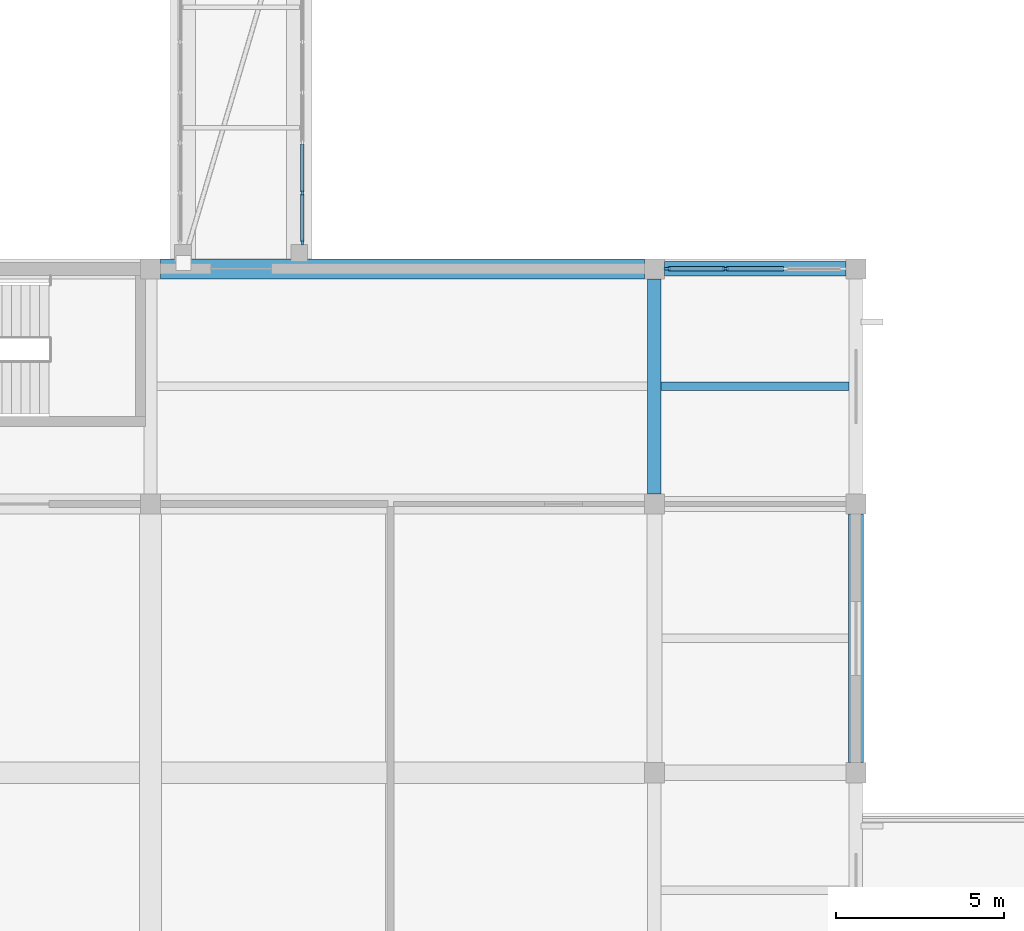
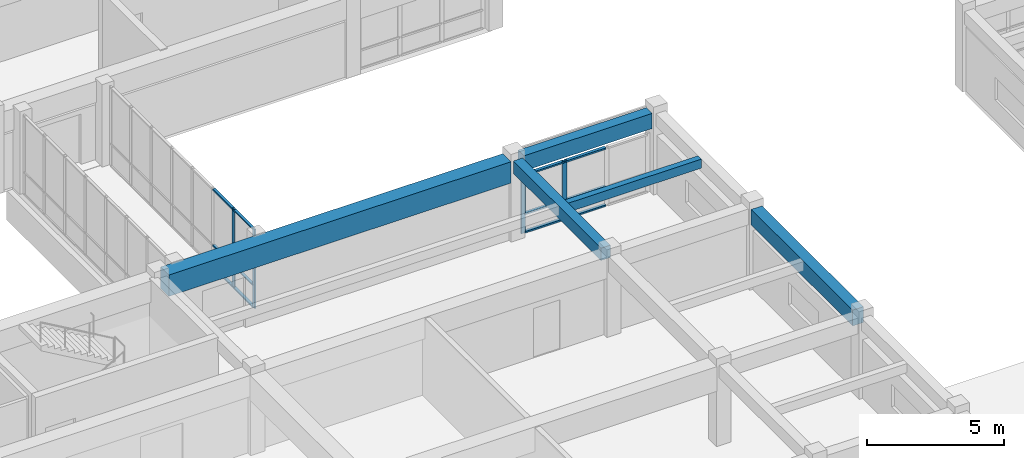
# One storey, part 8 of 66: 16 members, 5 beams, 2 elements without a shape of their own.
"""IFC4 building model written with IfcOpenShell, lengths in metres."""

from ifc_helpers import new_model, si_unit, direction, frame, origin, origin_2d, place, context, subcontext, project, spatial, rectangle, extrude, material, layer, layer_set, material_profile, profile_set, type_object, element, aggregate, save


model = new_model("IFC4")

# Units and contexts
model_context = context("Model", 3, precision=1e-05, world=origin(), true_north=direction((0.0, 1.0)))
body_context = subcontext(model_context, "Body", "Model", "MODEL_VIEW")
ifc_project = project(units=[si_unit("LENGTHUNIT", "METRE"), si_unit("AREAUNIT", "SQUARE_METRE"), si_unit("VOLUMEUNIT", "CUBIC_METRE"), si_unit("PLANEANGLEUNIT", "RADIAN"), si_unit("MASSUNIT", "GRAM", prefix="KILO")], contexts=[model_context])

# Site, building, storey
site_placement = place(None, origin())
site = spatial("IfcSite", under=ifc_project, at=site_placement, CompositionType="ELEMENT")
building_placement = place(site_placement, origin())
building = spatial("IfcBuilding", under=site, at=building_placement, Name="Naurynzar Civic Courthouse", CompositionType="ELEMENT")
storey_placement = place(building_placement, frame((0.0, 0.0, 14.39990234375)))
storey = spatial("IfcBuildingStorey", under=building, at=storey_placement, Name="L04", CompositionType="ELEMENT", Elevation=14.39990234375)

# Beams
ifc_material_1 = material(Name="Concrete C40/50", Category="concrete")
ifc_material_profile_1 = material_profile(ifc_material_1, rectangle(XDim=0.25, YDim=0.39990234375, at=origin_2d()), Name="RCB 250x400")
ifc_profile_set_1 = profile_set([ifc_material_profile_1], Name="Concrete C40/50")
beam_type_1 = type_object("IfcBeamType", Name="BM-JST-250x400", PredefinedType="JOIST", material=ifc_profile_set_1)
beam_1_placement = place(storey_placement, frame((50.199951171875, 28.5, 3.380126953125), z_axis=(1.0, 0.0, 0.0), x_axis=(0.0, 1.0, 0.0)))
element("IfcBeam", 1, at=beam_1_placement, inside=storey, type_object=beam_type_1, Name="V4 secondary rib 1965 L04", PredefinedType="JOIST", context=body_context, shape_type="SweptSolid", body=[
    extrude(rectangle(XDim=0.25, YDim=0.39990234375, at=origin_2d()), origin(), (0.0, 0.0, 1.0), 5.60009765625),
])
ifc_material_2 = material(Name="Concrete C40/50", Category="concrete")
ifc_material_profile_2 = material_profile(ifc_material_2, rectangle(XDim=0.60009765625, YDim=0.949951171875, at=origin_2d()), Name="PTB 600x950")
ifc_profile_set_2 = profile_set([ifc_material_profile_2], Name="Concrete C40/50")
beam_type_2 = type_object("IfcBeamType", Name="BM-PT-600x950", PredefinedType="T_BEAM", material=ifc_profile_set_2)
beam_2_placement = place(storey_placement, frame((35.300048828125, 32.0, 3.10498046875), z_axis=(1.0, 0.0, 0.0), x_axis=(0.0, 1.0, 0.0)))
element("IfcBeam", 2, at=beam_2_placement, inside=storey, type_object=beam_type_2, Name="V4 beam X-1933 L04", PredefinedType="T_BEAM", context=body_context, shape_type="SweptSolid", body=[
    extrude(rectangle(XDim=0.60009765625, YDim=0.949951171875, at=origin_2d()), origin(), (0.0, 0.0, 1.0), 14.39990234375),
])
ifc_material_3 = material(Name="Concrete C40/50", Category="concrete")
ifc_material_profile_3 = material_profile(ifc_material_3, rectangle(XDim=0.39990234375, YDim=0.550048828125, at=origin_2d()), Name="RCB 400x550")
ifc_profile_set_3 = profile_set([ifc_material_profile_3], Name="Concrete C40/50")
beam_type_3 = type_object("IfcBeamType", Name="BM-RC-400x550", PredefinedType="BEAM", material=ifc_profile_set_3)
beam_3_placement = place(storey_placement, frame((50.0, 25.300048828125, 3.30517578125), z_axis=(0.0, 1.0, 0.0), x_axis=(-1.0, 0.0, 0.0)))
element("IfcBeam", 3, at=beam_3_placement, inside=storey, type_object=beam_type_3, Name="V4 girder Y-1953 L04", PredefinedType="BEAM", context=body_context, shape_type="SweptSolid", body=[
    extrude(rectangle(XDim=0.39990234375, YDim=0.550048828125, at=origin_2d()), origin(), (0.0, 0.0, 1.0), 6.39990234375),
])
ifc_material_4 = material(Name="Concrete C40/50", Category="concrete")
ifc_material_profile_4 = material_profile(ifc_material_4, rectangle(XDim=0.425048828125, YDim=0.675048828125, at=origin_2d()), Name="RCB 425x675")
ifc_profile_set_4 = profile_set([ifc_material_profile_4], Name="Concrete C40/50")
beam_type_4 = type_object("IfcBeamType", Name="BM-RC-425x675", PredefinedType="SPANDREL", material=ifc_profile_set_4)
beam_4_placement = place(storey_placement, frame((50.300048828125, 32.0, 3.24267578125), z_axis=(1.0, 0.0, 0.0), x_axis=(0.0, 1.0, 0.0)))
element("IfcBeam", 4, at=beam_4_placement, inside=storey, type_object=beam_type_4, Name="V4 beam X-1934 L04", PredefinedType="SPANDREL", context=body_context, shape_type="SweptSolid", body=[
    extrude(rectangle(XDim=0.425048828125, YDim=0.675048828125, at=origin_2d()), origin(), (0.0, 0.0, 1.0), 5.39990234375),
])
ifc_material_5 = material(Name="Concrete C40/50", Category="concrete")
ifc_material_profile_5 = material_profile(ifc_material_5, rectangle(XDim=0.449951171875, YDim=0.699951171875, at=origin_2d()), Name="RCB 450x700")
ifc_profile_set_5 = profile_set([ifc_material_profile_5], Name="Concrete C40/50")
beam_type_5 = type_object("IfcBeamType", Name="BM-RC-450x700", PredefinedType="BEAM", material=ifc_profile_set_5)
beam_5_placement = place(storey_placement, frame((56.0, 17.300048828125, 3.22998046875), z_axis=(0.0, 1.0, 0.0), x_axis=(-1.0, 0.0, 0.0)))
element("IfcBeam", 5, at=beam_5_placement, inside=storey, type_object=beam_type_5, Name="V4 girder Y-1956 L04", PredefinedType="BEAM", context=body_context, shape_type="SweptSolid", body=[
    extrude(rectangle(XDim=0.449951171875, YDim=0.699951171875, at=origin_2d()), origin(), (0.0, 0.0, 1.0), 7.39990234375),
])

# Curtain wall, members
ifc_material_6 = material(Name="Aluminium 6063-T6", Category="aluminium")
ifc_layer_1 = layer(ifc_material_6, 0.14990234375)
ifc_layer_set_1 = layer_set([ifc_layer_1], Name="CW-BRIDGE-1500")
curtain_wall_type_1 = type_object("IfcCurtainWallType", Name="CW-BRIDGE-1500", PredefinedType="USERDEFINED", material=ifc_layer_set_1)
curtain_wall_1_placement = place(storey_placement, origin())
curtain_wall_1 = element("IfcCurtainWall", 6, at=curtain_wall_1_placement, inside=storey, type_object=curtain_wall_type_1, Name="BR-W1 glazed bridge screen L04.2", ObjectType="GLAZED BRIDGE SCREEN", PredefinedType="USERDEFINED")
ifc_material_7 = material(Name="Aluminium 6063-T6", Category="aluminium")
ifc_material_profile_6 = material_profile(ifc_material_7, rectangle(XDim=0.06005859375, YDim=0.14990234375, at=origin_2d()), Name="ALU MULLION 60x150")
ifc_profile_set_6 = profile_set([ifc_material_profile_6], Name="Aluminium 6063-T6")
member_type_1 = type_object("IfcMemberType", Name="CWM-60x150", PredefinedType="MULLION", material=ifc_profile_set_6)
member_1_placement = place(storey_placement, frame((39.52001953125, 32.7900390625, 0.0), z_axis=(0.0, 0.0, 1.0), x_axis=(-1.0, 0.0, 0.0)))
member_1 = element("IfcMember", 7, at=member_1_placement, type_object=member_type_1, Name="CW-03 mullion 1", PredefinedType="MULLION", context=body_context, shape_type="SweptSolid", body=[
    extrude(rectangle(XDim=0.06005859375, YDim=0.14990234375, at=origin_2d()), origin(), (0.0, 0.0, 1.0), 3.52001953125),
])
member_2_placement = place(storey_placement, frame((39.52001953125, 34.257080078125, 0.0), z_axis=(0.0, 0.0, 1.0), x_axis=(-1.0, 0.0, 0.0)))
member_2 = element("IfcMember", 8, at=member_2_placement, type_object=member_type_1, Name="CW-03 mullion 2", PredefinedType="MULLION", context=body_context, shape_type="SweptSolid", body=[
    extrude(rectangle(XDim=0.06005859375, YDim=0.14990234375, at=origin_2d()), origin(), (0.0, 0.0, 1.0), 3.52001953125),
])

ifc_material_8 = material(Name="Aluminium 6063-T6", Category="aluminium")
ifc_layer_2 = layer(ifc_material_8, 0.159912109375)
ifc_layer_set_2 = layer_set([ifc_layer_2], Name="CW-UNIT-1800")
curtain_wall_type_2 = type_object("IfcCurtainWallType", Name="CW-UNIT-1800", PredefinedType="NOTDEFINED", material=ifc_layer_set_2)
curtain_wall_2_placement = place(storey_placement, origin())
curtain_wall_2 = element("IfcCurtainWall", 9, at=curtain_wall_2_placement, inside=storey, type_object=curtain_wall_type_2, Name="V4 unitised curtain wall 82 L04", PredefinedType="NOTDEFINED")
ifc_material_9 = material(Name="Aluminium 6063-T6", Category="aluminium")
ifc_material_profile_7 = material_profile(ifc_material_9, rectangle(XDim=0.070068359375, YDim=0.179931640625, at=origin_2d()), Name="ALU MULLION 70x180")
ifc_profile_set_7 = profile_set([ifc_material_profile_7], Name="Aluminium 6063-T6")
member_type_2 = type_object("IfcMemberType", Name="CWM-70x180", PredefinedType="MULLION", material=ifc_profile_set_7)
member_3_placement = place(storey_placement, frame((50.385009765625, 32.0, 0.0), z_axis=(0.0, 0.0, 1.0), x_axis=(0.0, 1.0, 0.0)))
member_3 = element("IfcMember", 10, at=member_3_placement, type_object=member_type_2, Name="CW-02 mullion 1", PredefinedType="MULLION", context=body_context, shape_type="SweptSolid", body=[
    extrude(rectangle(XDim=0.070068359375, YDim=0.179931640625, at=origin_2d()), origin(), (0.0, 0.0, 1.0), 2.610107421875),
])
member_4_placement = place(storey_placement, frame((52.11669921875, 32.0, 0.0), z_axis=(0.0, 0.0, 1.0), x_axis=(0.0, 1.0, 0.0)))
member_4 = element("IfcMember", 11, at=member_4_placement, type_object=member_type_2, Name="CW-02 mullion 2", PredefinedType="MULLION", context=body_context, shape_type="SweptSolid", body=[
    extrude(rectangle(XDim=0.070068359375, YDim=0.179931640625, at=origin_2d()), origin(), (0.0, 0.0, 1.0), 2.610107421875),
])

# Member
ifc_material_10 = material(Name="Aluminium 6063-T6", Category="aluminium")
ifc_material_profile_8 = material_profile(ifc_material_10, rectangle(XDim=0.110107421875, YDim=0.06005859375, at=origin_2d()), Name="ALU TRANSOM 60x110")
ifc_profile_set_8 = profile_set([ifc_material_profile_8], Name="Aluminium 6063-T6")
member_type_3 = type_object("IfcMemberType", Name="CWT-60x110", PredefinedType="USERDEFINED", material=ifc_profile_set_8)
member_5_placement = place(storey_placement, frame((39.52001953125, 32.820068359375, 0.030029296875), z_axis=(0.0, 1.0, 0.0), x_axis=(-1.0, 0.0, 0.0)))
member_5 = element("IfcMember", 12, at=member_5_placement, type_object=member_type_3, Name="CW-03 transom 1.1", ObjectType="TRANSOM", PredefinedType="USERDEFINED", context=body_context, shape_type="SweptSolid", body=[
    extrude(rectangle(XDim=0.110107421875, YDim=0.06005859375, at=origin_2d()), origin(), (0.0, 0.0, 1.0), 1.406982421875),
])

member_6_placement = place(storey_placement, frame((39.52001953125, 32.820068359375, 1.0), z_axis=(0.0, 1.0, 0.0), x_axis=(-1.0, 0.0, 0.0)))
member_6 = element("IfcMember", 13, at=member_6_placement, type_object=member_type_3, Name="CW-03 transom 1.2", ObjectType="TRANSOM", PredefinedType="USERDEFINED", context=body_context, shape_type="SweptSolid", body=[
    extrude(rectangle(XDim=0.110107421875, YDim=0.06005859375, at=origin_2d()), origin(), (0.0, 0.0, 1.0), 1.406982421875),
])

member_7_placement = place(storey_placement, frame((39.52001953125, 32.820068359375, 3.489990234375), z_axis=(0.0, 1.0, 0.0), x_axis=(-1.0, 0.0, 0.0)))
member_7 = element("IfcMember", 14, at=member_7_placement, type_object=member_type_3, Name="CW-03 transom 1.3", ObjectType="TRANSOM", PredefinedType="USERDEFINED", context=body_context, shape_type="SweptSolid", body=[
    extrude(rectangle(XDim=0.110107421875, YDim=0.06005859375, at=origin_2d()), origin(), (0.0, 0.0, 1.0), 1.406982421875),
])

member_8_placement = place(storey_placement, frame((39.52001953125, 34.287109375, 0.030029296875), z_axis=(0.0, 1.0, 0.0), x_axis=(-1.0, 0.0, 0.0)))
member_8 = element("IfcMember", 15, at=member_8_placement, type_object=member_type_3, Name="CW-03 transom 2.1", ObjectType="TRANSOM", PredefinedType="USERDEFINED", context=body_context, shape_type="SweptSolid", body=[
    extrude(rectangle(XDim=0.110107421875, YDim=0.06005859375, at=origin_2d()), origin(), (0.0, 0.0, 1.0), 1.437255859375),
])

member_9_placement = place(storey_placement, frame((39.52001953125, 34.287109375, 1.0), z_axis=(0.0, 1.0, 0.0), x_axis=(-1.0, 0.0, 0.0)))
member_9 = element("IfcMember", 16, at=member_9_placement, type_object=member_type_3, Name="CW-03 transom 2.2", ObjectType="TRANSOM", PredefinedType="USERDEFINED", context=body_context, shape_type="SweptSolid", body=[
    extrude(rectangle(XDim=0.110107421875, YDim=0.06005859375, at=origin_2d()), origin(), (0.0, 0.0, 1.0), 1.437255859375),
])

member_10_placement = place(storey_placement, frame((39.52001953125, 34.287109375, 3.489990234375), z_axis=(0.0, 1.0, 0.0), x_axis=(-1.0, 0.0, 0.0)))
member_10 = element("IfcMember", 17, at=member_10_placement, type_object=member_type_3, Name="CW-03 transom 2.3", ObjectType="TRANSOM", PredefinedType="USERDEFINED", context=body_context, shape_type="SweptSolid", body=[
    extrude(rectangle(XDim=0.110107421875, YDim=0.06005859375, at=origin_2d()), origin(), (0.0, 0.0, 1.0), 1.437255859375),
])

aggregate(curtain_wall_1, [member_1, member_2, member_5, member_6, member_7, member_8, member_9, member_10])

ifc_material_11 = material(Name="Aluminium 6063-T6", Category="aluminium")
ifc_material_profile_9 = material_profile(ifc_material_11, rectangle(XDim=0.1298828125, YDim=0.070068359375, at=origin_2d()), Name="ALU TRANSOM 70x130")
ifc_profile_set_9 = profile_set([ifc_material_profile_9], Name="Aluminium 6063-T6")
member_type_4 = type_object("IfcMemberType", Name="CWT-70x130", PredefinedType="USERDEFINED", material=ifc_profile_set_9)
member_11_placement = place(storey_placement, frame((50.419921875, 32.0, 0.03515625), z_axis=(1.0, 0.0, 0.0), x_axis=(0.0, 1.0, 0.0)))
member_11 = element("IfcMember", 18, at=member_11_placement, type_object=member_type_4, Name="CW-02 transom 1.1", ObjectType="TRANSOM", PredefinedType="USERDEFINED", context=body_context, shape_type="SweptSolid", body=[
    extrude(rectangle(XDim=0.1298828125, YDim=0.070068359375, at=origin_2d()), origin(), (0.0, 0.0, 1.0), 1.661865234375),
])

member_12_placement = place(storey_placement, frame((50.419921875, 32.0, 0.85009765625), z_axis=(1.0, 0.0, 0.0), x_axis=(0.0, 1.0, 0.0)))
member_12 = element("IfcMember", 19, at=member_12_placement, type_object=member_type_4, Name="CW-02 transom 1.2", ObjectType="TRANSOM", PredefinedType="USERDEFINED", context=body_context, shape_type="SweptSolid", body=[
    extrude(rectangle(XDim=0.1298828125, YDim=0.070068359375, at=origin_2d()), origin(), (0.0, 0.0, 1.0), 1.661865234375),
])

member_13_placement = place(storey_placement, frame((50.419921875, 32.0, 2.5751953125), z_axis=(1.0, 0.0, 0.0), x_axis=(0.0, 1.0, 0.0)))
member_13 = element("IfcMember", 20, at=member_13_placement, type_object=member_type_4, Name="CW-02 transom 1.3", ObjectType="TRANSOM", PredefinedType="USERDEFINED", context=body_context, shape_type="SweptSolid", body=[
    extrude(rectangle(XDim=0.1298828125, YDim=0.070068359375, at=origin_2d()), origin(), (0.0, 0.0, 1.0), 1.661865234375),
])

member_14_placement = place(storey_placement, frame((52.151611328125, 32.0, 0.03515625), z_axis=(1.0, 0.0, 0.0), x_axis=(0.0, 1.0, 0.0)))
member_14 = element("IfcMember", 21, at=member_14_placement, type_object=member_type_4, Name="CW-02 transom 2.1", ObjectType="TRANSOM", PredefinedType="USERDEFINED", context=body_context, shape_type="SweptSolid", body=[
    extrude(rectangle(XDim=0.1298828125, YDim=0.070068359375, at=origin_2d()), origin(), (0.0, 0.0, 1.0), 1.69677734375),
])

member_15_placement = place(storey_placement, frame((52.151611328125, 32.0, 0.85009765625), z_axis=(1.0, 0.0, 0.0), x_axis=(0.0, 1.0, 0.0)))
member_15 = element("IfcMember", 22, at=member_15_placement, type_object=member_type_4, Name="CW-02 transom 2.2", ObjectType="TRANSOM", PredefinedType="USERDEFINED", context=body_context, shape_type="SweptSolid", body=[
    extrude(rectangle(XDim=0.1298828125, YDim=0.070068359375, at=origin_2d()), origin(), (0.0, 0.0, 1.0), 1.69677734375),
])

member_16_placement = place(storey_placement, frame((52.151611328125, 32.0, 2.5751953125), z_axis=(1.0, 0.0, 0.0), x_axis=(0.0, 1.0, 0.0)))
member_16 = element("IfcMember", 23, at=member_16_placement, type_object=member_type_4, Name="CW-02 transom 2.3", ObjectType="TRANSOM", PredefinedType="USERDEFINED", context=body_context, shape_type="SweptSolid", body=[
    extrude(rectangle(XDim=0.1298828125, YDim=0.070068359375, at=origin_2d()), origin(), (0.0, 0.0, 1.0), 1.69677734375),
])

aggregate(curtain_wall_2, [member_3, member_4, member_11, member_12, member_13, member_14, member_15, member_16])

save(model, "model.ifc")
